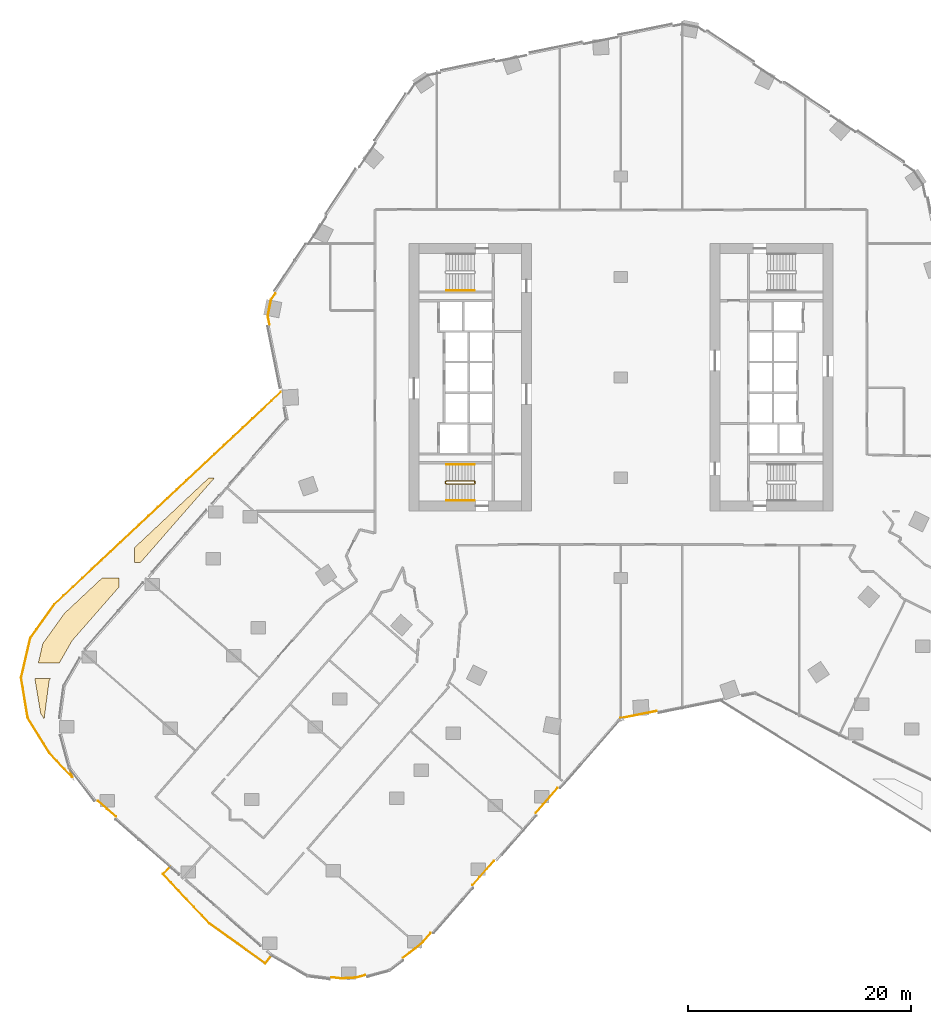
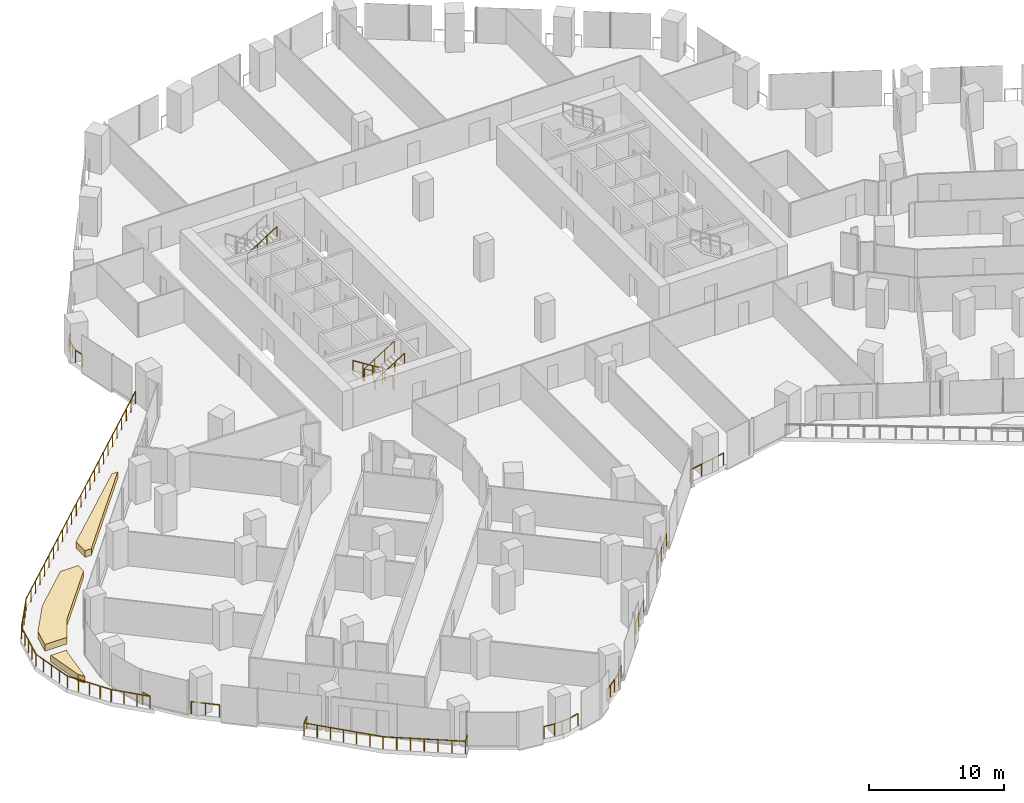
# One storey, part 28 of 32: 13 railings, 3 coverings.
"""IFC4 building model written with IfcOpenShell, lengths in metres."""

import ifcopenshell
import ifcopenshell.guid

model = None  # the IFC model being written
_history = None  # IfcOwnerHistory: only IFC2X3 demands one
_inside = {}  # id of a spatial element -> (the spatial element, [elements in it])
_under = {}  # id of a project, library or spatial element -> (it, [spatial elements below it])
_declared = {}  # id of a project -> (the project, [libraries it declares])
_typed = {}  # id of a type object -> (the type object, [elements of that type])
_made_of = {}  # id of a material, layer set ... -> (it, [elements and type objects made of it])


def new_model(schema):
    """Start an empty IFC model of exactly this schema.

    Asked for "IFC4X3", IfcOpenShell would pick the latest addendum, in which some entities
    have other attributes; the version numbers below select the first issue.
    IFC2X3 requires an IfcOwnerHistory on every rooted entity: one is made here for all.
    """
    global model, _history
    if schema == "IFC4X3":
        model = ifcopenshell.file(schema_version=(4, 3, 0, 0))
    else:
        model = ifcopenshell.file(schema=schema)
    _inside.clear()
    _under.clear()
    _declared.clear()
    _typed.clear()
    _made_of.clear()
    _history = None
    if model.schema == "IFC2X3":
        org = make("IfcOrganization", Name="unknown")
        user = make(
            "IfcPersonAndOrganization",
            ThePerson=make("IfcPerson", FamilyName="unknown"),
            TheOrganization=org,
        )
        app = make(
            "IfcApplication",
            ApplicationDeveloper=org,
            Version="unknown",
            ApplicationFullName="unknown",
            ApplicationIdentifier="unknown",
        )
        _history = make(
            "IfcOwnerHistory",
            OwningUser=user,
            OwningApplication=app,
            ChangeAction="ADDED",
            CreationDate=0,
        )
    return model


def make(cls, **values):
    """One entity of the class cls with the attributes given. An attribute that is None is left unset."""
    return model.create_entity(
        cls, **{name: value for name, value in values.items() if value is not None}
    )


def rooted(cls, **values):
    """An entity with a GlobalId (a new one), such as an element, a storey or a relation."""
    return make(cls, GlobalId=ifcopenshell.guid.new(), OwnerHistory=_history, **values)


def si_unit(unit_type, name, prefix=None):
    """IfcSIUnit, for example si_unit("LENGTHUNIT", "METRE", prefix="MILLI")."""
    return make("IfcSIUnit", UnitType=unit_type, Prefix=prefix, Name=name)


def assignment(units):
    """IfcUnitAssignment: the units of a project."""
    return None if units is None else make("IfcUnitAssignment", Units=units)


def point(xyz):
    """IfcCartesianPoint."""
    return None if xyz is None else make("IfcCartesianPoint", Coordinates=xyz)


def direction(xyz):
    """IfcDirection."""
    return None if xyz is None else make("IfcDirection", DirectionRatios=xyz)


def frame(location, z_axis=None, x_axis=None):
    """IfcAxis2Placement3D, a coordinate frame: its origin and axes. An axis left out is left unset."""
    return make(
        "IfcAxis2Placement3D",
        Location=point(location),
        Axis=direction(z_axis),
        RefDirection=direction(x_axis),
    )


def frame_2d(location, x_axis=None):
    """IfcAxis2Placement2D, a coordinate frame in the plane: its origin and x axis."""
    return make(
        "IfcAxis2Placement2D", Location=point(location), RefDirection=direction(x_axis)
    )


def origin():
    """The frame at (0, 0, 0) with its axes left unset."""
    return frame((0.0, 0.0, 0.0))


def origin_2d():
    """The frame at (0, 0) in the plane with its x axis left unset."""
    return frame_2d((0.0, 0.0))


def place(relative_to, where):
    """IfcLocalPlacement: puts the frame where relative to a parent placement (None: the world)."""
    return make(
        "IfcLocalPlacement", PlacementRelTo=relative_to, RelativePlacement=where
    )


def context(
    kind, dimensions, precision=None, world=None, true_north=None, identifier=None
):
    """IfcGeometricRepresentationContext, for example the 3D "Model" context."""
    return make(
        "IfcGeometricRepresentationContext",
        ContextIdentifier=identifier,
        ContextType=kind,
        CoordinateSpaceDimension=dimensions,
        Precision=precision,
        WorldCoordinateSystem=world,
        TrueNorth=true_north,
    )


def subcontext(parent, identifier, kind, view, scale=None):
    """IfcGeometricRepresentationSubContext, for example "Body" below "Model"."""
    return make(
        "IfcGeometricRepresentationSubContext",
        ContextIdentifier=identifier,
        ContextType=kind,
        ParentContext=parent,
        TargetScale=scale,
        TargetView=view,
    )


def project(units=None, contexts=None):
    """IfcProject with its units and contexts."""
    return rooted(
        "IfcProject",
        Name="project",
        RepresentationContexts=contexts,
        UnitsInContext=assignment(units),
    )


def spatial(cls, under=None, at=None, **own):
    """A site, building, storey or space (cls), placed at a placement, below another one or the project."""
    s = rooted(cls, ObjectPlacement=at, **own)
    if under is not None:
        _under.setdefault(under.id(), (under, []))[1].append(s)
    return s


def polyline(points):
    """IfcPolyline through the points."""
    return make("IfcPolyline", Points=[point(p) for p in points])


def profile(cls, at=None, kind="AREA", **sizes):
    """A parametric profile (cls). Its sizes go by their IFC names, for example OverallWidth=200.0."""
    return make(cls, ProfileType=kind, Position=at, **sizes)


def circle(**sizes):
    """IfcCircleProfileDef."""
    return profile("IfcCircleProfileDef", **sizes)


def outline(outer, holes=None, kind="AREA"):
    """IfcArbitraryClosedProfileDef: a profile drawn as a closed curve; with holes, ...WithVoids."""
    if holes is None:
        return make("IfcArbitraryClosedProfileDef", ProfileType=kind, OuterCurve=outer)
    return make(
        "IfcArbitraryProfileDefWithVoids",
        ProfileType=kind,
        OuterCurve=outer,
        InnerCurves=holes,
    )


def extrude(swept, where, along, depth):
    """IfcExtrudedAreaSolid: the profile swept, set in the frame where, extruded along a direction by depth."""
    return make(
        "IfcExtrudedAreaSolid",
        SweptArea=swept,
        Position=where,
        ExtrudedDirection=direction(along),
        Depth=depth,
    )


def shape(context_of_items, identifier, shape_type, items):
    """IfcShapeRepresentation: the items that make up one representation, for example the "Body"."""
    return make(
        "IfcShapeRepresentation",
        ContextOfItems=context_of_items,
        RepresentationIdentifier=identifier,
        RepresentationType=shape_type,
        Items=items,
    )


def material(Name=None, Category=None):
    """IfcMaterial."""
    return make("IfcMaterial", Name=Name, Category=Category)


def layer(
    of_material, thickness, ventilated=None, Name=None, Category=None, Priority=None
):
    """IfcMaterialLayer: one layer of a wall or slab, of a material (None: an air gap)."""
    return make(
        "IfcMaterialLayer",
        Material=of_material,
        LayerThickness=thickness,
        IsVentilated=ventilated,
        Name=Name,
        Category=Category,
        Priority=Priority,
    )


def layer_set(layers, Name=None):
    """IfcMaterialLayerSet."""
    return make("IfcMaterialLayerSet", MaterialLayers=layers, LayerSetName=Name)


def made_of(thing, what):
    """Note that an element or type object is made of a material, layer set ...; save() writes the relation."""
    if what is not None:
        _made_of.setdefault(what.id(), (what, []))[1].append(thing)
    return thing


def type_object(cls, material=None, **own):
    """A type object (cls), such as IfcWallType, which elements share."""
    return made_of(rooted(cls, **own), material)


def element(
    cls,
    number,
    at=None,
    inside=None,
    cuts=None,
    type_object=None,
    material=None,
    context=None,
    identifier="Body",
    shape_type=None,
    held_by="IfcProductDefinitionShape",
    body=None,
    shapes=None,
    **own,
):
    """One element of the class cls, such as IfcWall. Its Tag is "e" and its number.

    at: its placement. inside: the storey or other place that contains it. cuts: it is an
    opening in that element (IfcRelVoidsElement). A single representation is given by context,
    identifier, shape_type and body (its items); several are given by shapes. held_by: the class
    of the entity that holds the representations. save() writes the other relations.
    """
    e = rooted(cls, Tag="e%d" % number, ObjectPlacement=at, **own)
    if body is not None:
        shapes = [shape(context, identifier, shape_type, body)]
    if shapes is not None:
        e.Representation = make(held_by, Representations=shapes)
    if inside is not None:
        _inside.setdefault(inside.id(), (inside, []))[1].append(e)
    if cuts is not None:
        rooted(
            "IfcRelVoidsElement", RelatingBuildingElement=cuts, RelatedOpeningElement=e
        )
    if type_object is not None:
        _typed.setdefault(type_object.id(), (type_object, []))[1].append(e)
    return made_of(e, material)


def aggregate(whole, parts):
    """IfcRelAggregates: a whole, such as a stair, and the parts it consists of."""
    return rooted("IfcRelAggregates", RelatingObject=whole, RelatedObjects=parts)


def save(model, path):
    """Write the relations noted so far, then the file.

    IfcRelAggregates (storeys below a building ...), IfcRelContainedInSpatialStructure (elements
    in a storey), IfcRelDefinesByType, IfcRelAssociatesMaterial and IfcRelDeclares: one each for
    every whole, place, type object, material and project.
    """
    for whole, parts in _under.values():
        aggregate(whole, parts)
    for where, things in _inside.values():
        rooted(
            "IfcRelContainedInSpatialStructure",
            RelatedElements=things,
            RelatingStructure=where,
        )
    for kind, things in _typed.values():
        rooted("IfcRelDefinesByType", RelatedObjects=things, RelatingType=kind)
    for what, things in _made_of.values():
        rooted("IfcRelAssociatesMaterial", RelatedObjects=things, RelatingMaterial=what)
    for by, libraries in _declared.values():
        rooted("IfcRelDeclares", RelatingContext=by, RelatedDefinitions=libraries)
    model.write(path)


model = new_model("IFC4")

# Units and contexts
model_context = context("Model", 3, precision=1e-05, world=origin(), true_north=direction((0.0, 1.0)))
body_context = subcontext(model_context, "Body", "Model", "MODEL_VIEW")
ifc_project = project(units=[si_unit("LENGTHUNIT", "METRE"), si_unit("AREAUNIT", "SQUARE_METRE"), si_unit("VOLUMEUNIT", "CUBIC_METRE"), si_unit("PLANEANGLEUNIT", "RADIAN"), si_unit("MASSUNIT", "GRAM", prefix="KILO")], contexts=[model_context])

# Site, building, storey
site_placement = place(None, origin())
site = spatial("IfcSite", under=ifc_project, at=site_placement, CompositionType="ELEMENT")
building_placement = place(site_placement, origin())
building = spatial("IfcBuilding", under=site, at=building_placement, Name="Orlundy Tower", CompositionType="ELEMENT")
storey_placement = place(building_placement, frame((0.0, 0.0, 58.800048828125)))
storey = spatial("IfcBuildingStorey", under=building, at=storey_placement, Name="L13", CompositionType="ELEMENT", Elevation=58.800048828125)

# Coverings
ifc_material_1 = material(Name="Planted soil in precast concrete trough", Category="concrete")
ifc_layer = layer(ifc_material_1, 0.60009765625)
ifc_layer_set = layer_set([ifc_layer], Name="PLANTER box")
covering_type = type_object("IfcCoveringType", Name="PLANTER box", PredefinedType="USERDEFINED", material=ifc_layer_set)
covering_1_placement = place(storey_placement, origin())
element("IfcCovering", 1, at=covering_1_placement, inside=storey, type_object=covering_type, Name="PLANTER L13-10", ObjectType="PLANTER", PredefinedType="USERDEFINED", context=body_context, shape_type="SweptSolid", body=[
    extrude(outline(polyline([(-51.26611328125, -27.198974609375), (-51.712890625, -30.625), (-52.029052734375, -30.116943359375), (-52.5458984375, -27.0), (-51.152099609375, -27.0), (-51.26611328125, -27.198974609375)])), origin(), (0.0, 0.0, 1.0), 0.599853515625),
])
covering_2_placement = place(storey_placement, origin())
element("IfcCovering", 2, at=covering_2_placement, inside=storey, type_object=covering_type, Name="PLANTER L13-11", ObjectType="PLANTER", PredefinedType="USERDEFINED", context=body_context, shape_type="SweptSolid", body=[
    extrude(outline(polyline([(-51.8291015625, -23.863037109375), (-49.89697265625, -21.1640625), (-46.52392578125, -18.0), (-45.0, -18.0), (-45.0, -18.801025390625), (-49.196044921875, -23.59912109375), (-50.346923828125, -25.60009765625), (-52.23291015625, -25.60009765625), (-51.8291015625, -23.863037109375)])), origin(), (0.0, 0.0, 1.0), 0.599853515625),
])
covering_3_placement = place(storey_placement, origin())
element("IfcCovering", 3, at=covering_3_placement, inside=storey, type_object=covering_type, Name="PLANTER L13-12", ObjectType="PLANTER", PredefinedType="USERDEFINED", context=body_context, shape_type="SweptSolid", body=[
    extrude(outline(polyline([(-36.928955078125, -9.0), (-36.429931640625, -9.0), (-43.075927734375, -16.60009765625), (-43.60009765625, -16.60009765625), (-43.60009765625, -15.257080078125), (-36.928955078125, -9.0)])), origin(), (0.0, 0.0, 1.0), 0.599853515625),
])

# Railings
ifc_material_2 = material(Name="Steel balustrade", Category="steel")
railing_type_1 = type_object("IfcRailingType", Name="Stair Guard 1100", PredefinedType="GUARDRAIL", material=ifc_material_2)
railing_1_placement = place(storey_placement, frame((-13.090087890625, -9.35009765625, 0.0)))
element("IfcRailing", 4, at=railing_1_placement, inside=storey, type_object=railing_type_1, Name="L13 ST-W2 stair guard 1", PredefinedType="GUARDRAIL", context=body_context, shape_type="SweptSolid", body=[
    extrude(circle(Radius=0.02392578125, at=origin_2d()), frame((0.0, 0.0, 1.076171875), z_axis=(0.0, -1.0, 0.0), x_axis=(1.0, 0.0, 0.0)), (0.0, 0.0, 1.0), 0.14990234375),
    extrude(circle(Radius=0.02392578125, at=origin_2d()), frame((0.0, -0.14990234375, 1.076171875), z_axis=(-0.18420542264, 0.739530593833, 0.647427882513), x_axis=(-0.970351222016, -0.241699205484, 0.0)), (0.0, 0.0, 1.0), 0.270263671875),
    extrude(circle(Radius=0.02392578125, at=origin_2d()), frame((-0.0498046875, 0.050048828125, 1.2509765625), z_axis=(-0.848007534815, 0.0, 0.529984170421), x_axis=(0.0, -1.0, 0.0)), (0.0, 0.0, 1.0), 2.9716796875),
    extrude(circle(Radius=0.02392578125, at=origin_2d()), frame((-2.56982421875, 0.050048828125, 2.826171875), z_axis=(-0.707106781187, -0.707106781187, 0.0), x_axis=(0.707106781187, -0.707106781187, 0.0)), (0.0, 0.0, 1.0), 0.07080078125),
    extrude(circle(Radius=0.02392578125, at=origin_2d()), frame((-2.619873046875, 0.0, 2.826171875), z_axis=(0.0, -1.0, 0.0), x_axis=(1.0, 0.0, 0.0)), (0.0, 0.0, 1.0), 0.14990234375),
    extrude(circle(Radius=0.02392578125, at=origin_2d()), frame((-2.619873046875, -0.14990234375, 2.826171875), z_axis=(0.265065253269, -0.265065253269, 0.927081885822), x_axis=(0.707106781187, 0.707106781187, 0.0)), (0.0, 0.0, 1.0), 0.188720703125),
    extrude(circle(Radius=0.02392578125, at=origin_2d()), frame((-2.56982421875, -0.199951171875, 3.0009765625), z_axis=(0.848007534815, 0.0, 0.529984170421), x_axis=(0.0, 1.0, 0.0)), (0.0, 0.0, 1.0), 2.9716796875),
    extrude(circle(Radius=0.02099609375, at=origin_2d()), origin(), (0.0, 0.0, 1.0), 1.052001953125),
    extrude(circle(Radius=0.02099609375, at=origin_2d()), frame((0.0, -0.14990234375, 0.0)), (0.0, 0.0, 1.0), 1.052001953125),
    extrude(circle(Radius=0.02099609375, at=origin_2d()), frame((-0.0498046875, 0.050048828125, 0.175048828125)), (0.0, 0.0, 1.0), 1.052001953125),
    extrude(circle(Radius=0.02099609375, at=origin_2d()), frame((-0.889892578125, 0.050048828125, 0.699951171875)), (0.0, 0.0, 1.0), 1.052001953125),
    extrude(circle(Radius=0.02099609375, at=origin_2d()), frame((-1.729736328125, 0.050048828125, 1.22509765625)), (0.0, 0.0, 1.0), 1.052001953125),
    extrude(circle(Radius=0.02099609375, at=origin_2d()), frame((-2.56982421875, 0.050048828125, 1.75)), (0.0, 0.0, 1.0), 1.052001953125),
    extrude(circle(Radius=0.02099609375, at=origin_2d()), frame((-2.619873046875, 0.0, 1.75)), (0.0, 0.0, 1.0), 1.052001953125),
    extrude(circle(Radius=0.02099609375, at=origin_2d()), frame((-2.619873046875, -0.14990234375, 1.75)), (0.0, 0.0, 1.0), 1.052001953125),
    extrude(circle(Radius=0.02099609375, at=origin_2d()), frame((-2.56982421875, -0.199951171875, 1.925048828125)), (0.0, 0.0, 1.0), 1.052001953125),
    extrude(circle(Radius=0.02099609375, at=origin_2d()), frame((-1.729736328125, -0.199951171875, 2.449951171875)), (0.0, 0.0, 1.0), 1.052001953125),
    extrude(circle(Radius=0.02099609375, at=origin_2d()), frame((-0.889892578125, -0.199951171875, 2.97509765625)), (0.0, 0.0, 1.0), 1.052001953125),
    extrude(circle(Radius=0.02099609375, at=origin_2d()), frame((-0.0498046875, -0.199951171875, 3.5)), (0.0, 0.0, 1.0), 1.052001953125),
])
ifc_material_3 = material(Name="Steel handrail", Category="steel")
railing_type_2 = type_object("IfcRailingType", Name="Stair Handrail 900", PredefinedType="HANDRAIL", material=ifc_material_3)
railing_2_placement = place(storey_placement, frame((-15.659912109375, 7.800048828125, 1.925048828125)))
element("IfcRailing", 5, at=railing_2_placement, inside=storey, type_object=railing_type_2, Name="L13 ST-W1 stair handrail 2", PredefinedType="HANDRAIL", context=body_context, shape_type="SweptSolid", body=[
    extrude(circle(Radius=0.02392578125, at=origin_2d()), frame((0.0, 0.0, 0.8759765625), z_axis=(0.848007534815, 0.0, 0.529984170421), x_axis=(0.0, 1.0, 0.0)), (0.0, 0.0, 1.0), 2.9716796875),
    extrude(circle(Radius=0.02099609375, at=origin_2d()), origin(), (0.0, 0.0, 1.0), 0.851806640625),
    extrude(circle(Radius=0.02099609375, at=origin_2d()), frame((0.840087890625, 0.0, 0.52490234375)), (0.0, 0.0, 1.0), 0.851806640625),
    extrude(circle(Radius=0.02099609375, at=origin_2d()), frame((1.679931640625, 0.0, 1.050048828125)), (0.0, 0.0, 1.0), 0.851806640625),
    extrude(circle(Radius=0.02099609375, at=origin_2d()), frame((2.52001953125, 0.0, 1.574951171875)), (0.0, 0.0, 1.0), 0.851806640625),
])
railing_3_placement = place(storey_placement, frame((-13.139892578125, -7.800048828125, 0.175048828125)))
element("IfcRailing", 6, at=railing_3_placement, inside=storey, type_object=railing_type_2, Name="L13 ST-W2 stair handrail 1", PredefinedType="HANDRAIL", context=body_context, shape_type="SweptSolid", body=[
    extrude(circle(Radius=0.02392578125, at=origin_2d()), frame((0.0, 0.0, 0.8759765625), z_axis=(-0.848007534815, 0.0, 0.529984170421), x_axis=(0.0, -1.0, 0.0)), (0.0, 0.0, 1.0), 2.9716796875),
    extrude(circle(Radius=0.02099609375, at=origin_2d()), origin(), (0.0, 0.0, 1.0), 0.851806640625),
    extrude(circle(Radius=0.02099609375, at=origin_2d()), frame((-0.840087890625, 0.0, 0.52490234375)), (0.0, 0.0, 1.0), 0.851806640625),
    extrude(circle(Radius=0.02099609375, at=origin_2d()), frame((-1.679931640625, 0.0, 1.050048828125)), (0.0, 0.0, 1.0), 0.851806640625),
    extrude(circle(Radius=0.02099609375, at=origin_2d()), frame((-2.52001953125, 0.0, 1.574951171875)), (0.0, 0.0, 1.0), 0.851806640625),
])
railing_4_placement = place(storey_placement, frame((-15.659912109375, -11.050048828125, 1.925048828125)))
element("IfcRailing", 7, at=railing_4_placement, inside=storey, type_object=railing_type_2, Name="L13 ST-W2 stair handrail 2", PredefinedType="HANDRAIL", context=body_context, shape_type="SweptSolid", body=[
    extrude(circle(Radius=0.02392578125, at=origin_2d()), frame((0.0, 0.0, 0.8759765625), z_axis=(0.848007534815, 0.0, 0.529984170421), x_axis=(0.0, 1.0, 0.0)), (0.0, 0.0, 1.0), 2.9716796875),
    extrude(circle(Radius=0.02099609375, at=origin_2d()), origin(), (0.0, 0.0, 1.0), 0.851806640625),
    extrude(circle(Radius=0.02099609375, at=origin_2d()), frame((0.840087890625, 0.0, 0.52490234375)), (0.0, 0.0, 1.0), 0.851806640625),
    extrude(circle(Radius=0.02099609375, at=origin_2d()), frame((1.679931640625, 0.0, 1.050048828125)), (0.0, 0.0, 1.0), 0.851806640625),
    extrude(circle(Radius=0.02099609375, at=origin_2d()), frame((2.52001953125, 0.0, 1.574951171875)), (0.0, 0.0, 1.0), 0.851806640625),
])
ifc_material_4 = material(Name="Stainless steel bronze finish", Category="steel")
railing_type_3 = type_object("IfcRailingType", Name="TG1 terrace guard", PredefinedType="GUARDRAIL", material=ifc_material_4)
railing_5_placement = place(storey_placement, frame((-17.056396484375, -49.828857421875, 0.0)))
element("IfcRailing", 8, at=railing_5_placement, inside=storey, type_object=railing_type_3, Name="Guard TG-L13-E04", PredefinedType="GUARDRAIL", context=body_context, shape_type="SweptSolid", body=[
    extrude(circle(Radius=0.02490234375, at=origin_2d()), frame((0.0, 0.0, 1.09521484375), z_axis=(-0.65840694964, -0.75266213447, 0.0), x_axis=(0.75266213447, -0.65840694964, 0.0)), (0.0, 0.0, 1.0), 1.06201171875),
    extrude(circle(Radius=0.02490234375, at=origin_2d()), frame((-0.69921875, -0.79931640625, 1.09521484375), z_axis=(-0.764801895474, -0.644265520324, 0.0), x_axis=(0.644265520324, -0.764801895474, 0.0)), (0.0, 0.0, 1.0), 0.868896484375),
    extrude(circle(Radius=0.02490234375, at=origin_2d()), frame((-1.36376953125, -1.359130859375, 1.09521484375), z_axis=(-0.792363245136, -0.610049578114, 0.0), x_axis=(0.610049578114, -0.792363245136, 0.0)), (0.0, 0.0, 1.0), 1.392578125),
    extrude(circle(Radius=0.02001953125, at=origin_2d()), origin(), (0.0, 0.0, 1.0), 1.070068359375),
    extrude(circle(Radius=0.02001953125, at=origin_2d()), frame((-0.69921875, -0.79931640625, 0.0)), (0.0, 0.0, 1.0), 1.070068359375),
    extrude(circle(Radius=0.02001953125, at=origin_2d()), frame((-1.36376953125, -1.359130859375, 0.0)), (0.0, 0.0, 1.0), 1.070068359375),
    extrude(circle(Radius=0.02001953125, at=origin_2d()), frame((-1.91552734375, -1.783935546875, 0.0)), (0.0, 0.0, 1.0), 1.070068359375),
    extrude(circle(Radius=0.02001953125, at=origin_2d()), frame((-2.46728515625, -2.208740234375, 0.0)), (0.0, 0.0, 1.0), 1.070068359375),
])
railing_6_placement = place(storey_placement, frame((3.190673828125, -29.91650390625, 0.0)))
element("IfcRailing", 9, at=railing_6_placement, inside=storey, type_object=railing_type_3, Name="Guard TG-L13-E05", PredefinedType="GUARDRAIL", context=body_context, shape_type="SweptSolid", body=[
    extrude(circle(Radius=0.02490234375, at=origin_2d()), frame((0.0, 0.0, 1.09521484375), z_axis=(-0.980506459628, -0.19648685103, 0.0), x_axis=(0.19648685103, -0.980506459628, 0.0)), (0.0, 0.0, 1.0), 3.292724609375),
    extrude(circle(Radius=0.02001953125, at=origin_2d()), origin(), (0.0, 0.0, 1.0), 1.070068359375),
    extrude(circle(Radius=0.02001953125, at=origin_2d()), frame((-1.076171875, -0.215576171875, 0.0)), (0.0, 0.0, 1.0), 1.070068359375),
    extrude(circle(Radius=0.02001953125, at=origin_2d()), frame((-2.15234375, -0.431396484375, 0.0)), (0.0, 0.0, 1.0), 1.070068359375),
    extrude(circle(Radius=0.02001953125, at=origin_2d()), frame((-3.228515625, -0.64697265625, 0.0)), (0.0, 0.0, 1.0), 1.070068359375),
])
railing_7_placement = place(storey_placement, frame((-22.919677734375, -53.59716796875, 0.0)))
element("IfcRailing", 10, at=railing_7_placement, inside=storey, type_object=railing_type_3, Name="Guard TG-L13-E08", PredefinedType="GUARDRAIL", context=body_context, shape_type="SweptSolid", body=[
    extrude(circle(Radius=0.02490234375, at=origin_2d()), frame((0.0, 0.0, 1.09521484375), z_axis=(-0.965601762748, -0.260025452172, 0.0), x_axis=(0.260025452172, -0.965601762748, 0.0)), (0.0, 0.0, 1.0), 0.84228515625),
    extrude(circle(Radius=0.02490234375, at=origin_2d()), frame((-0.813232421875, -0.218994140625, 1.09521484375), z_axis=(-0.998281780081, -0.058595968782, 0.0), x_axis=(0.058595968782, -0.998281780081, 0.0)), (0.0, 0.0, 1.0), 1.362548828125),
    extrude(circle(Radius=0.02490234375, at=origin_2d()), frame((-2.17333984375, -0.298828125, 1.09521484375), z_axis=(-0.991664868362, 0.12884404859, 0.0), x_axis=(-0.12884404859, -0.991664868362, 0.0)), (0.0, 0.0, 1.0), 0.84326171875),
    extrude(circle(Radius=0.02001953125, at=origin_2d()), origin(), (0.0, 0.0, 1.0), 1.070068359375),
    extrude(circle(Radius=0.02001953125, at=origin_2d()), frame((-0.813232421875, -0.218994140625, 0.0)), (0.0, 0.0, 1.0), 1.070068359375),
    extrude(circle(Radius=0.02001953125, at=origin_2d()), frame((-1.4931640625, -0.2587890625, 0.0)), (0.0, 0.0, 1.0), 1.070068359375),
    extrude(circle(Radius=0.02001953125, at=origin_2d()), frame((-2.17333984375, -0.298828125, 0.0)), (0.0, 0.0, 1.0), 1.070068359375),
    extrude(circle(Radius=0.02001953125, at=origin_2d()), frame((-3.009521484375, -0.190185546875, 0.0)), (0.0, 0.0, 1.0), 1.070068359375),
])
railing_8_placement = place(storey_placement, frame((-5.682861328125, -36.82177734375, 0.0)))
element("IfcRailing", 11, at=railing_8_placement, inside=storey, type_object=railing_type_3, Name="Guard TG-L13-E011", PredefinedType="GUARDRAIL", context=body_context, shape_type="SweptSolid", body=[
    extrude(circle(Radius=0.02490234375, at=origin_2d()), frame((0.0, 0.0, 1.09521484375), z_axis=(-0.65827123901, -0.752780828589, 0.0), x_axis=(0.752780828589, -0.65827123901, 0.0)), (0.0, 0.0, 1.0), 2.962890625),
    extrude(circle(Radius=0.02001953125, at=origin_2d()), origin(), (0.0, 0.0, 1.0), 1.070068359375),
    extrude(circle(Radius=0.02001953125, at=origin_2d()), frame((-0.650146484375, -0.743408203125, 0.0)), (0.0, 0.0, 1.0), 1.070068359375),
    extrude(circle(Radius=0.02001953125, at=origin_2d()), frame((-1.30029296875, -1.487060546875, 0.0)), (0.0, 0.0, 1.0), 1.070068359375),
    extrude(circle(Radius=0.02001953125, at=origin_2d()), frame((-1.950439453125, -2.23046875, 0.0)), (0.0, 0.0, 1.0), 1.070068359375),
])
railing_9_placement = place(storey_placement, frame((-31.508544921875, 4.75439453125, 0.0)))
element("IfcRailing", 12, at=railing_9_placement, inside=storey, type_object=railing_type_3, Name="Guard TG-L13-E015", PredefinedType="GUARDRAIL", context=body_context, shape_type="SweptSolid", body=[
    extrude(circle(Radius=0.02490234375, at=origin_2d()), frame((0.0, 0.0, 1.09521484375), z_axis=(-0.196606339628, 0.980482507349, 0.0), x_axis=(-0.980482507349, -0.196606339628, 0.0)), (0.0, 0.0, 1.0), 0.76611328125),
    extrude(circle(Radius=0.02490234375, at=origin_2d()), frame((-0.150634765625, 0.751220703125, 1.09521484375), z_axis=(0.193478428592, 0.981104529431, 0.0), x_axis=(-0.981104529431, 0.193478428592, 0.0)), (0.0, 0.0, 1.0), 1.4599609375),
    extrude(circle(Radius=0.02490234375, at=origin_2d()), frame((0.1318359375, 2.18359375, 1.09521484375), z_axis=(0.554378309555, 0.83226479554, 0.0), x_axis=(-0.83226479554, 0.554378309555, 0.0)), (0.0, 0.0, 1.0), 0.7001953125),
    extrude(circle(Radius=0.02001953125, at=origin_2d()), origin(), (0.0, 0.0, 1.0), 1.070068359375),
    extrude(circle(Radius=0.02001953125, at=origin_2d()), frame((-0.150634765625, 0.751220703125, 0.0)), (0.0, 0.0, 1.0), 1.070068359375),
    extrude(circle(Radius=0.02001953125, at=origin_2d()), frame((-0.00927734375, 1.46728515625, 0.0)), (0.0, 0.0, 1.0), 1.070068359375),
    extrude(circle(Radius=0.02001953125, at=origin_2d()), frame((0.1318359375, 2.18359375, 0.0)), (0.0, 0.0, 1.0), 1.070068359375),
    extrude(circle(Radius=0.02001953125, at=origin_2d()), frame((0.52001953125, 2.766357421875, 0.0)), (0.0, 0.0, 1.0), 1.070068359375),
])
railing_10_placement = place(storey_placement, frame((-11.39013671875, -43.3486328125, 0.0)))
element("IfcRailing", 13, at=railing_10_placement, inside=storey, type_object=railing_type_3, Name="Guard TG-L13-E016", PredefinedType="GUARDRAIL", context=body_context, shape_type="SweptSolid", body=[
    extrude(circle(Radius=0.02490234375, at=origin_2d()), frame((0.0, 0.0, 1.09521484375), z_axis=(-0.658259799657, -0.752790831609, 0.0), x_axis=(0.752790831609, -0.658259799657, 0.0)), (0.0, 0.0, 1.0), 2.895263671875),
    extrude(circle(Radius=0.02001953125, at=origin_2d()), origin(), (0.0, 0.0, 1.0), 1.070068359375),
    extrude(circle(Radius=0.02001953125, at=origin_2d()), frame((-0.63525390625, -0.7265625, 0.0)), (0.0, 0.0, 1.0), 1.070068359375),
    extrude(circle(Radius=0.02001953125, at=origin_2d()), frame((-1.2705078125, -1.452880859375, 0.0)), (0.0, 0.0, 1.0), 1.070068359375),
    extrude(circle(Radius=0.02001953125, at=origin_2d()), frame((-1.90576171875, -2.179443359375, 0.0)), (0.0, 0.0, 1.0), 1.070068359375),
])
railing_11_placement = place(storey_placement, frame((-45.283203125, -39.389404296875, 0.0)))
element("IfcRailing", 14, at=railing_11_placement, inside=storey, type_object=railing_type_3, Name="Guard TG-L13-E020", PredefinedType="GUARDRAIL", context=body_context, shape_type="SweptSolid", body=[
    extrude(circle(Radius=0.02490234375, at=origin_2d()), frame((0.0, 0.0, 1.09521484375), z_axis=(-0.752732246572, 0.658326791929, 0.0), x_axis=(-0.658326791929, -0.752732246572, 0.0)), (0.0, 0.0, 1.0), 2.138671875),
    extrude(circle(Radius=0.02001953125, at=origin_2d()), origin(), (0.0, 0.0, 1.0), 1.070068359375),
    extrude(circle(Radius=0.02001953125, at=origin_2d()), frame((-0.804931640625, 0.7041015625, 0.0)), (0.0, 0.0, 1.0), 1.070068359375),
    extrude(circle(Radius=0.02001953125, at=origin_2d()), frame((-1.60986328125, 1.407958984375, 0.0)), (0.0, 0.0, 1.0), 1.070068359375),
])
railing_12_placement = place(storey_placement, frame((-49.3828125, -35.13623046875, 0.0)))
element("IfcRailing", 15, at=railing_12_placement, inside=storey, type_object=railing_type_3, Name="Guard TG-L13-10", PredefinedType="GUARDRAIL", context=body_context, shape_type="SweptSolid", body=[
    extrude(circle(Radius=0.02490234375, at=origin_2d()), frame((0.0, 0.0, 1.09521484375), z_axis=(0.260162429746, -0.965564865842, 0.0), x_axis=(0.965564865842, 0.260162429746, 0.0)), (0.0, 0.0, 1.0), 0.741455078125),
    extrude(circle(Radius=0.02490234375, at=origin_2d()), frame((0.19287109375, -0.7158203125, 1.09521484375), z_axis=(-0.68292370039, 0.730489712074, 0.0), x_axis=(-0.730489712074, -0.68292370039, 0.0)), (0.0, 0.0, 1.0), 2.9873046875),
    extrude(circle(Radius=0.02490234375, at=origin_2d()), frame((-1.84716796875, 1.46630859375, 1.09521484375), z_axis=(-0.528739003747, 0.848784463758, 0.0), x_axis=(-0.848784463758, -0.528739003747, 0.0)), (0.0, 0.0, 1.0), 3.6767578125),
    extrude(circle(Radius=0.02490234375, at=origin_2d()), frame((-3.791259765625, 4.587158203125, 1.09521484375), z_axis=(-0.163556935465, 0.986533896458, 0.0), x_axis=(-0.986533896458, -0.163556935465, 0.0)), (0.0, 0.0, 1.0), 3.66748046875),
    extrude(circle(Radius=0.02490234375, at=origin_2d()), frame((-4.39111328125, 8.205322265625, 1.09521484375), z_axis=(0.226288759246, 0.974060263761, 0.0), x_axis=(-0.974060263761, 0.226288759246, 0.0)), (0.0, 0.0, 1.0), 3.667236328125),
    extrude(circle(Radius=0.02490234375, at=origin_2d()), frame((-3.561279296875, 11.77734375, 1.09521484375), z_axis=(0.582035575002, 0.813163322729, 0.0), x_axis=(-0.813163322729, 0.582035575002, 0.0)), (0.0, 0.0, 1.0), 3.677001953125),
    extrude(circle(Radius=0.02490234375, at=origin_2d()), frame((-1.421142578125, 14.767333984375, 1.09521484375), z_axis=(0.729348787418, 0.684142051252, 0.0), x_axis=(-0.684142051252, 0.729348787418, 0.0)), (0.0, 0.0, 1.0), 27.84521484375),
    extrude(circle(Radius=0.02001953125, at=origin_2d()), origin(), (0.0, 0.0, 1.0), 1.070068359375),
    extrude(circle(Radius=0.02001953125, at=origin_2d()), frame((0.19287109375, -0.7158203125, 0.0)), (0.0, 0.0, 1.0), 1.070068359375),
    extrude(circle(Radius=0.02001953125, at=origin_2d()), frame((-0.487060546875, 0.011474609375, 0.0)), (0.0, 0.0, 1.0), 1.070068359375),
    extrude(circle(Radius=0.02001953125, at=origin_2d()), frame((-1.167236328125, 0.739013671875, 0.0)), (0.0, 0.0, 1.0), 1.070068359375),
    extrude(circle(Radius=0.02001953125, at=origin_2d()), frame((-1.84716796875, 1.46630859375, 0.0)), (0.0, 0.0, 1.0), 1.070068359375),
    extrude(circle(Radius=0.02001953125, at=origin_2d()), frame((-2.333251953125, 2.24658203125, 0.0)), (0.0, 0.0, 1.0), 1.070068359375),
    extrude(circle(Radius=0.02001953125, at=origin_2d()), frame((-2.8193359375, 3.02685546875, 0.0)), (0.0, 0.0, 1.0), 1.070068359375),
    extrude(circle(Radius=0.02001953125, at=origin_2d()), frame((-3.30517578125, 3.806884765625, 0.0)), (0.0, 0.0, 1.0), 1.070068359375),
    extrude(circle(Radius=0.02001953125, at=origin_2d()), frame((-3.791259765625, 4.587158203125, 0.0)), (0.0, 0.0, 1.0), 1.070068359375),
    extrude(circle(Radius=0.02001953125, at=origin_2d()), frame((-3.941162109375, 5.49169921875, 0.0)), (0.0, 0.0, 1.0), 1.070068359375),
    extrude(circle(Radius=0.02001953125, at=origin_2d()), frame((-4.09130859375, 6.396240234375, 0.0)), (0.0, 0.0, 1.0), 1.070068359375),
    extrude(circle(Radius=0.02001953125, at=origin_2d()), frame((-4.2412109375, 7.30078125, 0.0)), (0.0, 0.0, 1.0), 1.070068359375),
    extrude(circle(Radius=0.02001953125, at=origin_2d()), frame((-4.39111328125, 8.205322265625, 0.0)), (0.0, 0.0, 1.0), 1.070068359375),
    extrude(circle(Radius=0.02001953125, at=origin_2d()), frame((-4.18359375, 9.098388671875, 0.0)), (0.0, 0.0, 1.0), 1.070068359375),
    extrude(circle(Radius=0.02001953125, at=origin_2d()), frame((-3.97607421875, 9.9912109375, 0.0)), (0.0, 0.0, 1.0), 1.070068359375),
    extrude(circle(Radius=0.02001953125, at=origin_2d()), frame((-3.768798828125, 10.88427734375, 0.0)), (0.0, 0.0, 1.0), 1.070068359375),
    extrude(circle(Radius=0.02001953125, at=origin_2d()), frame((-3.561279296875, 11.77734375, 0.0)), (0.0, 0.0, 1.0), 1.070068359375),
    extrude(circle(Radius=0.02001953125, at=origin_2d()), frame((-3.0263671875, 12.52490234375, 0.0)), (0.0, 0.0, 1.0), 1.070068359375),
    extrude(circle(Radius=0.02001953125, at=origin_2d()), frame((-2.4912109375, 13.2724609375, 0.0)), (0.0, 0.0, 1.0), 1.070068359375),
    extrude(circle(Radius=0.02001953125, at=origin_2d()), frame((-1.9560546875, 14.019775390625, 0.0)), (0.0, 0.0, 1.0), 1.070068359375),
    extrude(circle(Radius=0.02001953125, at=origin_2d()), frame((-1.421142578125, 14.767333984375, 0.0)), (0.0, 0.0, 1.0), 1.070068359375),
    extrude(circle(Radius=0.02001953125, at=origin_2d()), frame((-0.574951171875, 15.56103515625, 0.0)), (0.0, 0.0, 1.0), 1.070068359375),
    extrude(circle(Radius=0.02001953125, at=origin_2d()), frame((0.271240234375, 16.354736328125, 0.0)), (0.0, 0.0, 1.0), 1.070068359375),
    extrude(circle(Radius=0.02001953125, at=origin_2d()), frame((1.117431640625, 17.148681640625, 0.0)), (0.0, 0.0, 1.0), 1.070068359375),
    extrude(circle(Radius=0.02001953125, at=origin_2d()), frame((1.963623046875, 17.9423828125, 0.0)), (0.0, 0.0, 1.0), 1.070068359375),
    extrude(circle(Radius=0.02001953125, at=origin_2d()), frame((2.809814453125, 18.736083984375, 0.0)), (0.0, 0.0, 1.0), 1.070068359375),
    extrude(circle(Radius=0.02001953125, at=origin_2d()), frame((3.656005859375, 19.52978515625, 0.0)), (0.0, 0.0, 1.0), 1.070068359375),
    extrude(circle(Radius=0.02001953125, at=origin_2d()), frame((4.502197265625, 20.323486328125, 0.0)), (0.0, 0.0, 1.0), 1.070068359375),
    extrude(circle(Radius=0.02001953125, at=origin_2d()), frame((5.348388671875, 21.117431640625, 0.0)), (0.0, 0.0, 1.0), 1.070068359375),
    extrude(circle(Radius=0.02001953125, at=origin_2d()), frame((6.194580078125, 21.9111328125, 0.0)), (0.0, 0.0, 1.0), 1.070068359375),
    extrude(circle(Radius=0.02001953125, at=origin_2d()), frame((7.040771484375, 22.704833984375, 0.0)), (0.0, 0.0, 1.0), 1.070068359375),
    extrude(circle(Radius=0.02001953125, at=origin_2d()), frame((7.886962890625, 23.49853515625, 0.0)), (0.0, 0.0, 1.0), 1.070068359375),
    extrude(circle(Radius=0.02001953125, at=origin_2d()), frame((8.7333984375, 24.29248046875, 0.0)), (0.0, 0.0, 1.0), 1.070068359375),
    extrude(circle(Radius=0.02001953125, at=origin_2d()), frame((9.57958984375, 25.086181640625, 0.0)), (0.0, 0.0, 1.0), 1.070068359375),
    extrude(circle(Radius=0.02001953125, at=origin_2d()), frame((10.42578125, 25.8798828125, 0.0)), (0.0, 0.0, 1.0), 1.070068359375),
    extrude(circle(Radius=0.02001953125, at=origin_2d()), frame((11.27197265625, 26.673583984375, 0.0)), (0.0, 0.0, 1.0), 1.070068359375),
    extrude(circle(Radius=0.02001953125, at=origin_2d()), frame((12.1181640625, 27.46728515625, 0.0)), (0.0, 0.0, 1.0), 1.070068359375),
    extrude(circle(Radius=0.02001953125, at=origin_2d()), frame((12.96435546875, 28.26123046875, 0.0)), (0.0, 0.0, 1.0), 1.070068359375),
    extrude(circle(Radius=0.02001953125, at=origin_2d()), frame((13.810546875, 29.054931640625, 0.0)), (0.0, 0.0, 1.0), 1.070068359375),
    extrude(circle(Radius=0.02001953125, at=origin_2d()), frame((14.65673828125, 29.8486328125, 0.0)), (0.0, 0.0, 1.0), 1.070068359375),
    extrude(circle(Radius=0.02001953125, at=origin_2d()), frame((15.5029296875, 30.642333984375, 0.0)), (0.0, 0.0, 1.0), 1.070068359375),
    extrude(circle(Radius=0.02001953125, at=origin_2d()), frame((16.34912109375, 31.43603515625, 0.0)), (0.0, 0.0, 1.0), 1.070068359375),
    extrude(circle(Radius=0.02001953125, at=origin_2d()), frame((17.1953125, 32.22998046875, 0.0)), (0.0, 0.0, 1.0), 1.070068359375),
    extrude(circle(Radius=0.02001953125, at=origin_2d()), frame((18.04150390625, 33.023681640625, 0.0)), (0.0, 0.0, 1.0), 1.070068359375),
    extrude(circle(Radius=0.02001953125, at=origin_2d()), frame((18.8876953125, 33.8173828125, 0.0)), (0.0, 0.0, 1.0), 1.070068359375),
])
railing_13_placement = place(storey_placement, frame((-31.3408203125, -51.842041015625, 0.0)))
element("IfcRailing", 16, at=railing_13_placement, inside=storey, type_object=railing_type_3, Name="Guard TG-L13-20", PredefinedType="GUARDRAIL", context=body_context, shape_type="SweptSolid", body=[
    extrude(circle(Radius=0.02490234375, at=origin_2d()), frame((0.0, 0.0, 1.09521484375), z_axis=(-0.621005271056, -0.78380638765, 0.0), x_axis=(0.78380638765, -0.621005271056, 0.0)), (0.0, 0.0, 1.0), 0.88916015625),
    extrude(circle(Radius=0.02490234375, at=origin_2d()), frame((-0.55224609375, -0.697021484375, 1.09521484375), z_axis=(-0.813121971413, 0.582093342691, 0.0), x_axis=(-0.582093342691, -0.813121971413, 0.0)), (0.0, 0.0, 1.0), 6.128173828125),
    extrude(circle(Radius=0.02490234375, at=origin_2d()), frame((-5.53515625, 2.8701171875, 1.09521484375), z_axis=(-0.684338474632, 0.729164489082, 0.0), x_axis=(-0.729164489082, -0.684338474632, 0.0)), (0.0, 0.0, 1.0), 6.089111328125),
    extrude(circle(Radius=0.02490234375, at=origin_2d()), frame((-9.7021484375, 7.31005859375, 1.09521484375), z_axis=(0.694673598828, 0.719325094162, 0.0), x_axis=(-0.719325094162, 0.694673598828, 0.0)), (0.0, 0.0, 1.0), 0.88134765625),
    extrude(circle(Radius=0.02001953125, at=origin_2d()), origin(), (0.0, 0.0, 1.0), 1.070068359375),
    extrude(circle(Radius=0.02001953125, at=origin_2d()), frame((-0.55224609375, -0.697021484375, 0.0)), (0.0, 0.0, 1.0), 1.070068359375),
    extrude(circle(Radius=0.02001953125, at=origin_2d()), frame((-1.3828125, -0.1025390625, 0.0)), (0.0, 0.0, 1.0), 1.070068359375),
    extrude(circle(Radius=0.02001953125, at=origin_2d()), frame((-2.213134765625, 0.491943359375, 0.0)), (0.0, 0.0, 1.0), 1.070068359375),
    extrude(circle(Radius=0.02001953125, at=origin_2d()), frame((-3.043701171875, 1.08642578125, 0.0)), (0.0, 0.0, 1.0), 1.070068359375),
    extrude(circle(Radius=0.02001953125, at=origin_2d()), frame((-3.874267578125, 1.68115234375, 0.0)), (0.0, 0.0, 1.0), 1.070068359375),
    extrude(circle(Radius=0.02001953125, at=origin_2d()), frame((-4.70458984375, 2.275634765625, 0.0)), (0.0, 0.0, 1.0), 1.070068359375),
    extrude(circle(Radius=0.02001953125, at=origin_2d()), frame((-5.53515625, 2.8701171875, 0.0)), (0.0, 0.0, 1.0), 1.070068359375),
    extrude(circle(Radius=0.02001953125, at=origin_2d()), frame((-6.229736328125, 3.610107421875, 0.0)), (0.0, 0.0, 1.0), 1.070068359375),
    extrude(circle(Radius=0.02001953125, at=origin_2d()), frame((-6.924072265625, 4.35009765625, 0.0)), (0.0, 0.0, 1.0), 1.070068359375),
    extrude(circle(Radius=0.02001953125, at=origin_2d()), frame((-7.61865234375, 5.090087890625, 0.0)), (0.0, 0.0, 1.0), 1.070068359375),
    extrude(circle(Radius=0.02001953125, at=origin_2d()), frame((-8.313232421875, 5.830078125, 0.0)), (0.0, 0.0, 1.0), 1.070068359375),
    extrude(circle(Radius=0.02001953125, at=origin_2d()), frame((-9.007568359375, 6.570068359375, 0.0)), (0.0, 0.0, 1.0), 1.070068359375),
    extrude(circle(Radius=0.02001953125, at=origin_2d()), frame((-9.7021484375, 7.31005859375, 0.0)), (0.0, 0.0, 1.0), 1.070068359375),
    extrude(circle(Radius=0.02001953125, at=origin_2d()), frame((-9.08984375, 7.944091796875, 0.0)), (0.0, 0.0, 1.0), 1.070068359375),
])

save(model, "model.ifc")
